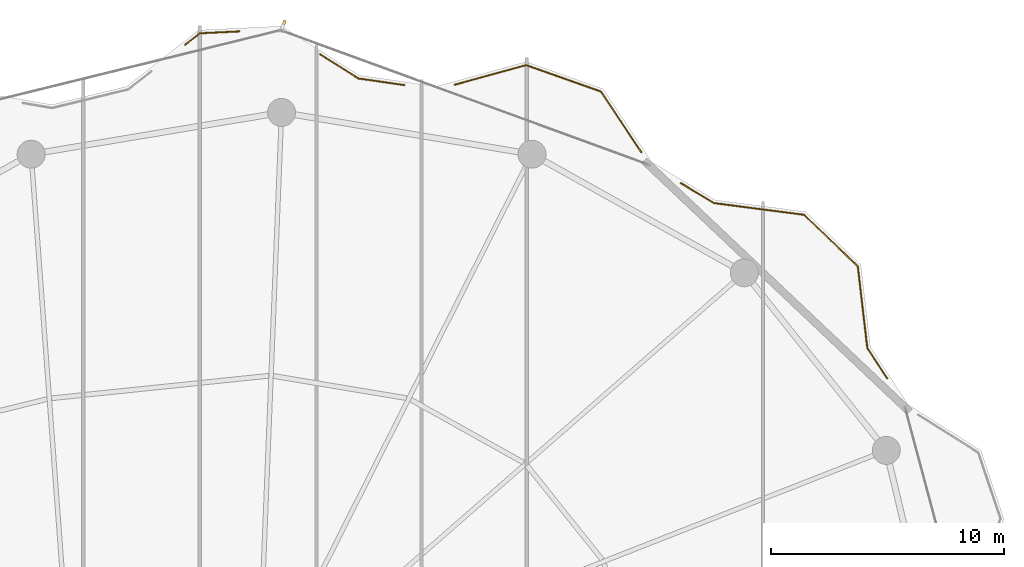
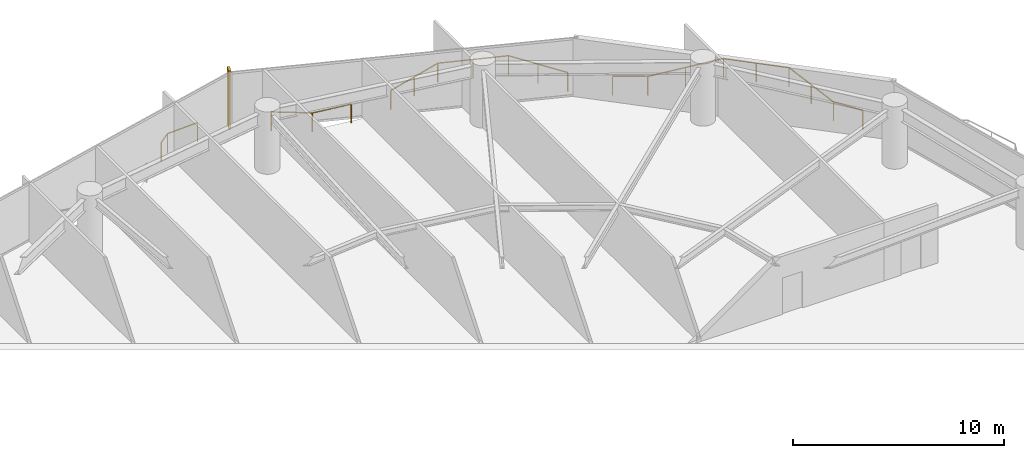
# One storey, part 28 of 28: 4 railings, 1 shading device.
"""IFC4 building model written with IfcOpenShell, lengths in metres."""

from ifc_helpers import new_model, si_unit, direction, frame, origin, origin_2d, place, context, subcontext, project, spatial, rectangle, extrude, material, type_object, element, save


model = new_model("IFC4")

# Units and contexts
model_context = context("Model", 3, precision=1e-05, world=origin(), true_north=direction((0.0, 1.0)))
body_context = subcontext(model_context, "Body", "Model", "MODEL_VIEW")
ifc_project = project(units=[si_unit("LENGTHUNIT", "METRE"), si_unit("AREAUNIT", "SQUARE_METRE"), si_unit("VOLUMEUNIT", "CUBIC_METRE"), si_unit("PLANEANGLEUNIT", "RADIAN"), si_unit("MASSUNIT", "GRAM", prefix="KILO")], contexts=[model_context])

# Site, building, storey
site_placement = place(None, origin())
site = spatial("IfcSite", under=ifc_project, at=site_placement, CompositionType="ELEMENT")
building_placement = place(site_placement, origin())
building = spatial("IfcBuilding", under=site, at=building_placement, Name="Kazevale Care Tower and Concert Hall", CompositionType="ELEMENT")
storey_placement = place(building_placement, frame((0.0, 0.0, 106.199951171875)))
storey = spatial("IfcBuildingStorey", under=building, at=storey_placement, Name="L27", CompositionType="ELEMENT", Elevation=106.199951171875)

# Railings
ifc_material_1 = material(Name="Anodised Bronze Aluminium and Laminated Glass", Category="aluminium")
railing_type = type_object("IfcRailingType", Name="Balcony and Terrace Balustrade 1120", PredefinedType="BALUSTRADE", material=ifc_material_1)
railing_1_placement = place(storey_placement, frame((40.875, 64.35400390625, 0.0)))
element("IfcRailing", 1, at=railing_1_placement, inside=storey, type_object=railing_type, Name="rail:L27:perim:6", PredefinedType="BALUSTRADE", context=body_context, shape_type="SweptSolid", body=[
    extrude(rectangle(XDim=0.048095703125, YDim=0.048095703125, at=origin_2d()), frame((0.0, 0.0, 1.09619140625), z_axis=(0.786296888073, 0.61784885191, 0.0), x_axis=(-0.61784885191, 0.786296888073, 0.0)), (0.0, 0.0, 1.0), 0.789794921875),
    extrude(rectangle(XDim=0.048095703125, YDim=0.048095703125, at=origin_2d()), frame((0.62109375, 0.488037109375, 1.09619140625), z_axis=(0.998846104171, 0.04802562007, 0.0), x_axis=(-0.04802562007, 0.998846104171, 0.0)), (0.0, 0.0, 1.0), 1.687744140625),
    extrude(rectangle(XDim=0.0419921875, YDim=0.0419921875, at=origin_2d()), origin(), (0.0, 0.0, 1.0), 1.072021484375),
    extrude(rectangle(XDim=0.0419921875, YDim=0.0419921875, at=origin_2d()), frame((0.62109375, 0.488037109375, 0.0)), (0.0, 0.0, 1.0), 1.072021484375),
    extrude(rectangle(XDim=0.0419921875, YDim=0.0419921875, at=origin_2d()), frame((2.306884765625, 0.569091796875, 0.0)), (0.0, 0.0, 1.0), 1.072021484375),
])
railing_2_placement = place(storey_placement, frame((46.64794921875, 63.943115234375, 0.0)))
element("IfcRailing", 2, at=railing_2_placement, inside=storey, type_object=railing_type, Name="rail:L27:perim:7", PredefinedType="BALUSTRADE", context=body_context, shape_type="SweptSolid", body=[
    extrude(rectangle(XDim=0.048095703125, YDim=0.048095703125, at=origin_2d()), frame((0.0, 0.0, 1.09619140625), z_axis=(0.845285408951, -0.534315054452, 0.0), x_axis=(0.534315054452, 0.845285408951, 0.0)), (0.0, 0.0, 1.0), 1.939208984375),
    extrude(rectangle(XDim=0.048095703125, YDim=0.048095703125, at=origin_2d()), frame((1.63916015625, -1.0361328125, 1.09619140625), z_axis=(0.989851165492, -0.142107952534, 0.0), x_axis=(0.142107952534, 0.989851165492, 0.0)), (0.0, 0.0, 1.0), 1.9912109375),
    extrude(rectangle(XDim=0.0419921875, YDim=0.0419921875, at=origin_2d()), origin(), (0.0, 0.0, 1.0), 1.072021484375),
    extrude(rectangle(XDim=0.0419921875, YDim=0.0419921875, at=origin_2d()), frame((1.63916015625, -1.0361328125, 0.0)), (0.0, 0.0, 1.0), 1.072021484375),
    extrude(rectangle(XDim=0.0419921875, YDim=0.0419921875, at=origin_2d()), frame((3.610107421875, -1.319091796875, 0.0)), (0.0, 0.0, 1.0), 1.072021484375),
])
railing_3_placement = place(storey_placement, frame((52.426025390625, 62.64111328125, 0.0)))
element("IfcRailing", 3, at=railing_3_placement, inside=storey, type_object=railing_type, Name="rail:L27:perim:8", PredefinedType="BALUSTRADE", context=body_context, shape_type="SweptSolid", body=[
    extrude(rectangle(XDim=0.048095703125, YDim=0.048095703125, at=origin_2d()), frame((0.0, 0.0, 1.09619140625), z_axis=(0.964305315259, 0.264792860484, 0.0), x_axis=(-0.264792860484, 0.964305315259, 0.0)), (0.0, 0.0, 1.0), 3.16796875),
    extrude(rectangle(XDim=0.048095703125, YDim=0.048095703125, at=origin_2d()), frame((3.054931640625, 0.8388671875, 1.09619140625), z_axis=(0.942606504608, -0.333905641567, 0.0), x_axis=(0.333905641567, 0.942606504608, 0.0)), (0.0, 0.0, 1.0), 3.399169921875),
    extrude(rectangle(XDim=0.048095703125, YDim=0.048095703125, at=origin_2d()), frame((6.259033203125, -0.296142578125, 1.09619140625), z_axis=(0.554087210484, -0.832458625505, 0.0), x_axis=(0.832458625505, 0.554087210484, 0.0)), (0.0, 0.0, 1.0), 3.125732421875),
    extrude(rectangle(XDim=0.0419921875, YDim=0.0419921875, at=origin_2d()), origin(), (0.0, 0.0, 1.0), 1.072021484375),
    extrude(rectangle(XDim=0.0419921875, YDim=0.0419921875, at=origin_2d()), frame((1.52734375, 0.41943359375, 0.0)), (0.0, 0.0, 1.0), 1.072021484375),
    extrude(rectangle(XDim=0.0419921875, YDim=0.0419921875, at=origin_2d()), frame((3.054931640625, 0.8388671875, 0.0)), (0.0, 0.0, 1.0), 1.072021484375),
    extrude(rectangle(XDim=0.0419921875, YDim=0.0419921875, at=origin_2d()), frame((4.656982421875, 0.271484375, 0.0)), (0.0, 0.0, 1.0), 1.072021484375),
    extrude(rectangle(XDim=0.0419921875, YDim=0.0419921875, at=origin_2d()), frame((6.259033203125, -0.296142578125, 0.0)), (0.0, 0.0, 1.0), 1.072021484375),
    extrude(rectangle(XDim=0.0419921875, YDim=0.0419921875, at=origin_2d()), frame((7.125, -1.59716796875, 0.0)), (0.0, 0.0, 1.0), 1.072021484375),
    extrude(rectangle(XDim=0.0419921875, YDim=0.0419921875, at=origin_2d()), frame((7.990966796875, -2.898193359375, 0.0)), (0.0, 0.0, 1.0), 1.072021484375),
])
railing_4_placement = place(storey_placement, frame((62.10400390625, 58.425048828125, 0.0)))
element("IfcRailing", 4, at=railing_4_placement, inside=storey, type_object=railing_type, Name="rail:L27:perim:9", PredefinedType="BALUSTRADE", context=body_context, shape_type="SweptSolid", body=[
    extrude(rectangle(XDim=0.048095703125, YDim=0.048095703125, at=origin_2d()), frame((0.0, 0.0, 1.09619140625), z_axis=(0.857286075964, -0.514840348029, 0.0), x_axis=(0.514840348029, 0.857286075964, 0.0)), (0.0, 0.0, 1.0), 1.666748046875),
    extrude(rectangle(XDim=0.048095703125, YDim=0.048095703125, at=origin_2d()), frame((1.428955078125, -0.858154296875, 1.09619140625), z_axis=(0.991624912909, -0.12915119859, 0.0), x_axis=(0.12915119859, 0.991624912909, 0.0)), (0.0, 0.0, 1.0), 3.886474609375),
    extrude(rectangle(XDim=0.048095703125, YDim=0.048095703125, at=origin_2d()), frame((5.282958984375, -1.360107421875, 1.09619140625), z_axis=(0.722483817146, -0.691387831801, 0.0), x_axis=(0.691387831801, 0.722483817146, 0.0)), (0.0, 0.0, 1.0), 3.1875),
    extrude(rectangle(XDim=0.048095703125, YDim=0.048095703125, at=origin_2d()), frame((7.5859375, -3.56396484375, 1.09619140625), z_axis=(0.115399198522, -0.993319195919, 0.0), x_axis=(0.993319195919, 0.115399198522, 0.0)), (0.0, 0.0, 1.0), 3.52685546875),
    extrude(rectangle(XDim=0.048095703125, YDim=0.048095703125, at=origin_2d()), frame((7.992919921875, -7.067138671875, 1.09619140625), z_axis=(0.547143637921, -0.837038732367, 0.0), x_axis=(0.837038732367, 0.547143637921, 0.0)), (0.0, 0.0, 1.0), 1.555419921875),
    extrude(rectangle(XDim=0.0419921875, YDim=0.0419921875, at=origin_2d()), origin(), (0.0, 0.0, 1.0), 1.072021484375),
    extrude(rectangle(XDim=0.0419921875, YDim=0.0419921875, at=origin_2d()), frame((1.428955078125, -0.858154296875, 0.0)), (0.0, 0.0, 1.0), 1.072021484375),
    extrude(rectangle(XDim=0.0419921875, YDim=0.0419921875, at=origin_2d()), frame((3.35595703125, -1.109130859375, 0.0)), (0.0, 0.0, 1.0), 1.072021484375),
    extrude(rectangle(XDim=0.0419921875, YDim=0.0419921875, at=origin_2d()), frame((5.282958984375, -1.360107421875, 0.0)), (0.0, 0.0, 1.0), 1.072021484375),
    extrude(rectangle(XDim=0.0419921875, YDim=0.0419921875, at=origin_2d()), frame((6.4345703125, -2.4619140625, 0.0)), (0.0, 0.0, 1.0), 1.072021484375),
    extrude(rectangle(XDim=0.0419921875, YDim=0.0419921875, at=origin_2d()), frame((7.5859375, -3.56396484375, 0.0)), (0.0, 0.0, 1.0), 1.072021484375),
    extrude(rectangle(XDim=0.0419921875, YDim=0.0419921875, at=origin_2d()), frame((7.78955078125, -5.3154296875, 0.0)), (0.0, 0.0, 1.0), 1.072021484375),
    extrude(rectangle(XDim=0.0419921875, YDim=0.0419921875, at=origin_2d()), frame((7.992919921875, -7.067138671875, 0.0)), (0.0, 0.0, 1.0), 1.072021484375),
    extrude(rectangle(XDim=0.0419921875, YDim=0.0419921875, at=origin_2d()), frame((8.843994140625, -8.369140625, 0.0)), (0.0, 0.0, 1.0), 1.072021484375),
])

# Shading device
ifc_material_2 = material(Name="Honed Ochre Limestone", Category="masonry")
shading_device_type = type_object("IfcShadingDeviceType", Name="Vertical Honed Limestone Fin FIN-01", PredefinedType="USERDEFINED", material=ifc_material_2)
shading_device_placement = place(storey_placement, frame((45.084228515625, 65.21240234375, 0.0), z_axis=(0.0, 0.0, 1.0), x_axis=(0.343167938899, 0.939274063153, 0.0)))
element("IfcShadingDevice", 5, at=shading_device_placement, inside=storey, type_object=shading_device_type, Name="cw:L27:f16:fin", ObjectType="FIN", PredefinedType="USERDEFINED", context=body_context, shape_type="SweptSolid", body=[
    extrude(rectangle(XDim=0.3798828125, YDim=0.1201171875, at=origin_2d()), origin(), (0.0, 0.0, 1.0), 3.360107421875),
])

save(model, "model.ifc")
